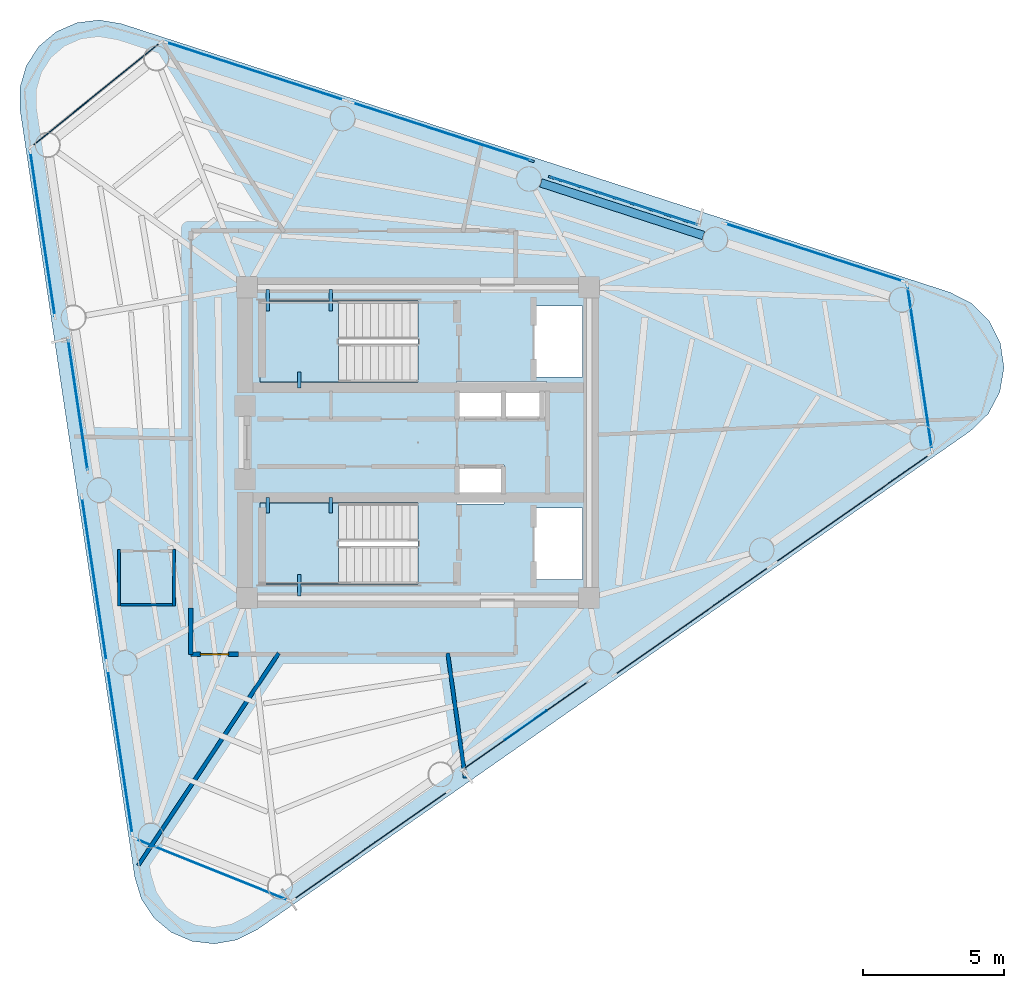
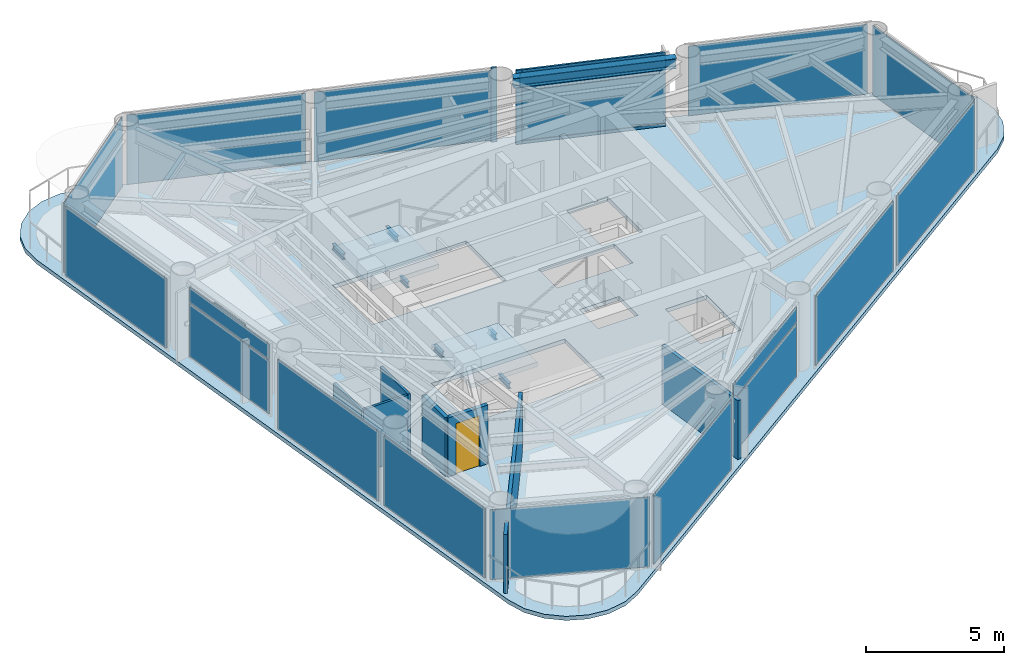
# One storey, part 4 of 10: 21 plates, 7 beams, 7 walls, 5 members, 3 slabs, 1 door, 1 opening, 17 elements without a shape of their own.
"""IFC4 building model written with IfcOpenShell, lengths in metres."""

from ifc_helpers import new_model, si_unit, direction, frame, frame_2d, origin, origin_2d, place, context, subcontext, project, spatial, polyline, rectangle, i_section, outline, extrude, source, transform, mapped, material, layer, layer_set, material_profile, profile_set, type_object, element, fill, aggregate, save


model = new_model("IFC4")

# Units and contexts
model_context = context("Model", 3, precision=1e-05, world=origin(), true_north=direction((0.0, 1.0)))
body_context = subcontext(model_context, "Body", "Model", "MODEL_VIEW")
ifc_project = project(units=[si_unit("LENGTHUNIT", "METRE"), si_unit("AREAUNIT", "SQUARE_METRE"), si_unit("VOLUMEUNIT", "CUBIC_METRE"), si_unit("PLANEANGLEUNIT", "RADIAN"), si_unit("MASSUNIT", "GRAM", prefix="KILO")], contexts=[model_context])

# Site, building, storey
site_placement = place(None, origin())
site = spatial("IfcSite", under=ifc_project, at=site_placement, CompositionType="ELEMENT")
building_placement = place(site_placement, origin())
building = spatial("IfcBuilding", under=site, at=building_placement, Name="Yunling Apex Tower", CompositionType="ELEMENT")
storey_placement = place(building_placement, frame((0.0, 0.0, 277.949951171875)))
storey = spatial("IfcBuildingStorey", under=building, at=storey_placement, Name="L68", CompositionType="ELEMENT", Elevation=277.949951171875)

# Beams
ifc_material_1 = material(Name="Steel Q355B", Category="steel")
ifc_material_profile_1 = material_profile(ifc_material_1, i_section(OverallWidth=0.125, OverallDepth=0.25, WebThickness=0.006103515625, FlangeThickness=0.009033203125, FilletRadius=0.011962890625, at=origin_2d()))
ifc_profile_set_1 = profile_set([ifc_material_profile_1], Name="Steel Q355B")
beam_type_1 = type_object("IfcBeamType", Name="BL-LNT-1", PredefinedType="LINTEL", material=ifc_profile_set_1)
shared_shape_1 = source(origin(), body_context, "Body", "SweptSolid", [
    extrude(i_section(OverallWidth=0.125, OverallDepth=0.25, WebThickness=0.006103515625, FlangeThickness=0.009033203125, FilletRadius=0.011962890625, at=origin_2d()), origin(), (0.0, 0.0, 1.0), 0.760009765625),
])
for number, where, z_axis, x_axis, name in (
    (1, (-5.320068359375, 5.419921875, 1.380126953125), (0.0, -1.0, 0.0), (1.0, 0.0, 0.0), "L68 ST-1 Landing Bearing Corbel 1-1"),
    (2, (-3.090087890625, 5.419921875, 1.380126953125), (0.0, -1.0, 0.0), (1.0, 0.0, 0.0), "L68 ST-1 Landing Bearing Corbel 1-2"),
    (3, (-4.205078125, -5.419921875, 1.380126953125), (0.0, 1.0, 0.0), (-1.0, 0.0, 0.0), "L68 ST-2 Landing Bearing Corbel 1-3"),
):
    element("IfcBeam", number, at=place(storey_placement, frame(where, z_axis=z_axis, x_axis=x_axis)), inside=storey, type_object=beam_type_1, Name=name, PredefinedType="LINTEL", context=body_context, shape_type="MappedRepresentation", body=[
        mapped(shared_shape_1, transform((0.0, 0.0, 0.0), scale=1.0)),
    ])
shared_shape_2 = source(origin(), body_context, "Body", "SweptSolid", [
    extrude(i_section(OverallWidth=0.125, OverallDepth=0.25, WebThickness=0.006103515625, FlangeThickness=0.009033203125, FilletRadius=0.011962890625, at=origin_2d()), origin(), (0.0, 0.0, 1.0), 0.550048828125),
])
for number, where, z_axis, x_axis, name in (
    (4, (-4.205078125, 1.93994140625, 1.380126953125), (0.0, 1.0, 0.0), (-1.0, 0.0, 0.0), "L68 ST-1 Landing Bearing Corbel 1-3"),
    (5, (-5.320068359375, -1.93994140625, 1.380126953125), (0.0, -1.0, 0.0), (1.0, 0.0, 0.0), "L68 ST-2 Landing Bearing Corbel 1-1"),
    (6, (-3.090087890625, -1.93994140625, 1.380126953125), (0.0, -1.0, 0.0), (1.0, 0.0, 0.0), "L68 ST-2 Landing Bearing Corbel 1-2"),
):
    element("IfcBeam", number, at=place(storey_placement, frame(where, z_axis=z_axis, x_axis=x_axis)), inside=storey, type_object=beam_type_1, Name=name, PredefinedType="LINTEL", context=body_context, shape_type="MappedRepresentation", body=[
        mapped(shared_shape_2, transform((0.0, 0.0, 0.0), scale=1.0)),
    ])
ifc_material_profile_2 = material_profile(ifc_material_1, i_section(OverallWidth=0.300048828125, OverallDepth=0.43994140625, WebThickness=0.010986328125, FlangeThickness=0.01806640625, FilletRadius=0.02197265625, at=origin_2d()))
ifc_profile_set_2 = profile_set([ifc_material_profile_2], Name="Steel Q355B")
beam_type_2 = type_object("IfcBeamType", Name="BP-SPN-3", PredefinedType="SPANDREL", material=ifc_profile_set_2)
shared_shape_3 = source(origin(), body_context, "Body", "SweptSolid", [
    extrude(i_section(OverallWidth=0.300048828125, OverallDepth=0.43994140625, WebThickness=0.010986328125, FlangeThickness=0.01806640625, FilletRadius=0.02197265625, at=origin_2d()), origin(), (0.0, 0.0, 1.0), 6.04345703125),
])
beam_placement = place(storey_placement, frame((10.09375, 7.326904296875, 3.0), z_axis=(-0.951272468705, 0.308351569289, 0.0), x_axis=(-0.308351569289, -0.951272468705, 0.0)))
element("IfcBeam", 7, at=beam_placement, inside=storey, type_object=beam_type_2, Name="L68 Perimeter Spandrel Beam 7", PredefinedType="SPANDREL", context=body_context, shape_type="MappedRepresentation", body=[
    mapped(shared_shape_3, transform((0.0, 0.0, 0.0), scale=1.0)),
])

# Curtain wall, member
ifc_material_2 = material(Name="Bronze anodised aluminium", Category="aluminium")
ifc_layer_1 = layer(ifc_material_2, 0.219970703125)
ifc_layer_set_1 = layer_set([ifc_layer_1], Name="Bronze anodised aluminium")
curtain_wall_type = type_object("IfcCurtainWallType", Name="CW-SYS-4", PredefinedType="NOTDEFINED", material=ifc_layer_set_1)
curtain_wall_1_placement = place(storey_placement, origin())
curtain_wall_1 = element("IfcCurtainWall", 8, at=curtain_wall_1_placement, inside=storey, type_object=curtain_wall_type, Name="CW-L68-F2-B2", PredefinedType="NOTDEFINED")
ifc_material_profile_3 = material_profile(ifc_material_2, rectangle(XDim=0.080078125, YDim=0.219970703125, at=origin_2d()))
ifc_profile_set_3 = profile_set([ifc_material_profile_3], Name="Bronze anodised aluminium")
member_type_1 = type_object("IfcMemberType", Name="CW-MUL-4", PredefinedType="MULLION", material=ifc_profile_set_3)
shared_shape_4 = source(origin(), body_context, "Body", "SweptSolid", [
    extrude(rectangle(XDim=0.080078125, YDim=0.219970703125, at=origin_2d()), origin(), (0.0, 0.0, 1.0), 3.320068359375),
])
member_1_placement = place(storey_placement, frame((4.71875, 9.384521484375, -0.050048828125), z_axis=(0.0, 0.0, 1.0), x_axis=(-0.30836941685, -0.951266683297, 0.0)))
member_1 = element("IfcMember", 9, at=member_1_placement, type_object=member_type_1, Name="CW-SYS-4 mullion 2", PredefinedType="MULLION", context=body_context, shape_type="MappedRepresentation", body=[
    mapped(shared_shape_4, transform((0.0, 0.0, 0.0), scale=1.0)),
])

curtain_wall_2_placement = place(storey_placement, origin())
curtain_wall_2 = element("IfcCurtainWall", 10, at=curtain_wall_2_placement, inside=storey, type_object=curtain_wall_type, Name="CW-L68-F2-B3", PredefinedType="NOTDEFINED")
member_2_placement = place(storey_placement, frame((4.00537109375, 9.97314453125, -0.050048828125), z_axis=(0.0, 0.0, 1.0), x_axis=(-0.308371076658, -0.95126614524, 0.0)))
member_2 = element("IfcMember", 11, at=member_2_placement, type_object=member_type_1, Name="CW-SYS-4 mullion 1", PredefinedType="MULLION", context=body_context, shape_type="MappedRepresentation", body=[
    mapped(shared_shape_4, transform((0.0, 0.0, 0.0), scale=1.0)),
])

# Member
ifc_material_profile_4 = material_profile(ifc_material_2, rectangle(XDim=0.080078125, YDim=0.169921875, at=origin_2d()))
ifc_profile_set_4 = profile_set([ifc_material_profile_4], Name="Bronze anodised aluminium")
member_type_2 = type_object("IfcMemberType", Name="CW-TRN-4", PredefinedType="USERDEFINED", material=ifc_profile_set_4)
shared_shape_5 = source(origin(), body_context, "Body", "SweptSolid", [
    extrude(rectangle(XDim=0.080078125, YDim=0.169921875, at=origin_2d()), origin(), (0.0, 0.0, 1.0), 5.3798828125),
])
member_3_placement = place(storey_placement, frame((9.87060546875, 7.71435546875, 0.0400390625), z_axis=(-0.951269238612, 0.308361534032, 0.0), x_axis=(-0.308361534032, -0.951269238612, 0.0)))
member_3 = element("IfcMember", 12, at=member_3_placement, type_object=member_type_2, Name="CW-SYS-4 transom 1.1", ObjectType="TRANSOM", PredefinedType="USERDEFINED", context=body_context, shape_type="MappedRepresentation", body=[
    mapped(shared_shape_5, transform((0.0, 0.0, 0.0), scale=1.0)),
])

member_4_placement = place(storey_placement, frame((9.87060546875, 7.71435546875, 2.447265625), z_axis=(-0.951269238612, 0.308361534032, 0.0), x_axis=(-0.308361534032, -0.951269238612, 0.0)))
member_4 = element("IfcMember", 13, at=member_4_placement, type_object=member_type_2, Name="CW-SYS-4 transom 1.2", ObjectType="TRANSOM", PredefinedType="USERDEFINED", context=body_context, shape_type="MappedRepresentation", body=[
    mapped(shared_shape_5, transform((0.0, 0.0, 0.0), scale=1.0)),
])

member_5_placement = place(storey_placement, frame((9.87060546875, 7.71435546875, 3.179931640625), z_axis=(-0.951269238612, 0.308361534032, 0.0), x_axis=(-0.308361534032, -0.951269238612, 0.0)))
member_5 = element("IfcMember", 14, at=member_5_placement, type_object=member_type_2, Name="CW-SYS-4 transom 1.3", ObjectType="TRANSOM", PredefinedType="USERDEFINED", context=body_context, shape_type="MappedRepresentation", body=[
    mapped(shared_shape_5, transform((0.0, 0.0, 0.0), scale=1.0)),
])

# Slab
ifc_material_3 = material(Name="Concrete C40", Category="concrete")
ifc_layer_2 = layer(ifc_material_3, 0.155029296875)
ifc_layer_set_2 = layer_set([ifc_layer_2], Name="Concrete C40")
slab_type_1 = type_object("IfcSlabType", Name="SL-FLR-3", PredefinedType="FLOOR", material=ifc_layer_set_2)
slab_1_placement = place(storey_placement, frame((0.0, 0.0, -0.179931640625)))
element("IfcSlab", 15, at=slab_1_placement, inside=storey, type_object=slab_type_1, Name="L68 Composite Tower Floor Slab", PredefinedType="FLOOR", context=body_context, shape_type="SweptSolid", body=[
    extrude(outline(polyline([(-10.026123046875, -15.378173828125), (-9.794189453125, -16.145263671875), (-9.352294921875, -16.81396484375), (-8.737548828125, -17.328125), (-8.001220703125, -17.64501953125), (-7.205078125, -17.7373046875), (-6.415771484375, -17.59814453125), (-5.69921875, -17.23876953125), (19.549072265625, 0.414306640625), (20.177490234375, 1.021728515625), (20.585205078125, 1.794921875), (20.731689453125, 2.656494140625), (20.6025390625, 3.52099609375), (20.21044921875, 4.302001953125), (19.594482421875, 4.922119140625), (18.81591796875, 5.3193359375), (-10.490478515625, 14.819091796875), (-11.280517578125, 14.95361328125), (-12.076171875, 14.855712890625), (-12.810302734375, 14.534423828125), (-13.422119140625, 14.016357421875), (-13.859619140625, 13.344970703125), (-14.086669921875, 12.576416015625), (-14.083984375, 11.77490234375), (-10.026123046875, -15.378173828125)]), holes=[polyline([(4.090087890625, 4.840087890625), (5.81005859375, 4.840087890625), (5.81005859375, 2.320068359375), (4.090087890625, 2.320068359375), (4.090087890625, 4.840087890625)]), polyline([(4.090087890625, -4.840087890625), (4.090087890625, -2.320068359375), (5.81005859375, -2.320068359375), (5.81005859375, -4.840087890625), (4.090087890625, -4.840087890625)]), polyline([(4.534912109375, 0.794921875), (1.364990234375, 0.794921875), (1.364990234375, 2.1650390625), (4.534912109375, 2.1650390625), (4.534912109375, 0.794921875)]), polyline([(1.364990234375, -0.794921875), (3.034912109375, -0.794921875), (3.034912109375, -2.1650390625), (1.364990234375, -2.1650390625), (1.364990234375, -0.794921875)]), polyline([(-0.010009765625, -5.010009765625), (-5.60009765625, -5.010009765625), (-5.60009765625, -2.139892578125), (-0.010009765625, -2.139892578125), (-0.010009765625, -5.010009765625)]), polyline([(-0.010009765625, 2.139892578125), (-5.60009765625, 2.139892578125), (-5.60009765625, 5.010009765625), (-0.010009765625, 5.010009765625), (-0.010009765625, 2.139892578125)])]), origin(), (0.0, 0.0, 1.0), 0.179931640625),
])

# Stair, slab
stair_type = type_object("IfcStairType", Name="ST-TWR-3", PredefinedType="HALF_TURN_STAIR", material=ifc_material_3)
stair_1_placement = place(storey_placement, origin())
stair_1 = element("IfcStair", 16, at=stair_1_placement, inside=storey, type_object=stair_type, Name="L68 North Core Smokeproof Exit Stair ST-1", PredefinedType="HALF_TURN_STAIR")
ifc_layer_3 = layer(ifc_material_3, 0.195068359375)
ifc_layer_set_3 = layer_set([ifc_layer_3], Name="Concrete C40")
slab_type_2 = type_object("IfcSlabType", Name="SL-LND-1", PredefinedType="LANDING", material=ifc_layer_set_3)
slab_2_placement = place(storey_placement, frame((0.0, 0.0, 1.505126953125)))
slab_2 = element("IfcSlab", 17, at=slab_2_placement, type_object=slab_type_2, Name="ST-1 landing 1", PredefinedType="LANDING", context=body_context, shape_type="SweptSolid", body=[
    extrude(outline(polyline([(-2.81005859375, 5.010009765625), (-5.60009765625, 5.010009765625), (-5.60009765625, 2.139892578125), (-2.81005859375, 2.139892578125), (-2.81005859375, 5.010009765625)])), origin(), (0.0, 0.0, 1.0), 0.19482421875),
])
aggregate(stair_1, [slab_2])

stair_2_placement = place(storey_placement, origin())
stair_2 = element("IfcStair", 18, at=stair_2_placement, inside=storey, type_object=stair_type, Name="L68 South Core Smokeproof Exit Stair ST-2", PredefinedType="HALF_TURN_STAIR")
slab_3_placement = place(storey_placement, frame((0.0, 0.0, 1.505126953125)))
slab_3 = element("IfcSlab", 19, at=slab_3_placement, type_object=slab_type_2, Name="ST-2 landing 1", PredefinedType="LANDING", context=body_context, shape_type="SweptSolid", body=[
    extrude(outline(polyline([(-2.81005859375, -2.139892578125), (-5.60009765625, -2.139892578125), (-5.60009765625, -5.010009765625), (-2.81005859375, -5.010009765625), (-2.81005859375, -2.139892578125)])), origin(), (0.0, 0.0, 1.0), 0.19482421875),
])
aggregate(stair_2, [slab_3])

# Plates
ifc_layer_4 = layer(ifc_material_2, 0.011962890625)
ifc_layer_set_4 = layer_set([ifc_layer_4], Name="Bronze anodised aluminium")
plate_type_1 = type_object("IfcPlateType", Name="SP-SHT-1", PredefinedType="SHEET", material=ifc_layer_set_4)
shared_shape_6 = source(origin(), body_context, "Body", "SweptSolid", [
    extrude(rectangle(XDim=1.800048828125, YDim=0.02392578125, at=origin_2d()), origin(), (0.0, 0.0, 1.0), 0.43994140625),
])
for number, where, z_axis, x_axis, name in (
    (20, (3.809326171875, -10.0048828125, 2.820068359375), (0.0, 0.0, 1.0), (0.819552276527, 0.573004420611, 0.0), "SP-GRV-L68-F1"),
    (21, (7.311767578125, 8.5439453125, 2.820068359375), (0.0, 0.0, 1.0), (-0.951272019071, 0.30835295642, 0.0), "SP-GRV-L68-F2"),
    (22, (-12.036865234375, 1.323974609375, 2.820068359375), (0.0, 0.0, 1.0), (0.14780941113, -0.989015863362, 0.0), "SP-GRV-L68-F3"),
):
    element("IfcPlate", number, at=place(storey_placement, frame(where, z_axis=z_axis, x_axis=x_axis)), inside=storey, type_object=plate_type_1, Name=name, PredefinedType="SHEET", context=body_context, shape_type="MappedRepresentation", body=[
        mapped(shared_shape_6, transform((0.0, 0.0, 0.0), scale=1.0)),
    ])

# Curtain wall, plate
curtain_wall_3_placement = place(storey_placement, origin())
curtain_wall_3 = element("IfcCurtainWall", 23, at=curtain_wall_3_placement, inside=storey, type_object=curtain_wall_type, Name="CW-L68-F1-B1", PredefinedType="NOTDEFINED")
ifc_material_4 = material(Name="Bronze tinted low-E glass", Category="glass")
ifc_layer_5 = layer(ifc_material_4, 0.030029296875)
ifc_layer_set_5 = layer_set([ifc_layer_5], Name="Bronze tinted low-E glass")
plate_type_2 = type_object("IfcPlateType", Name="CW-PNL-4", PredefinedType="CURTAIN_PANEL", material=ifc_layer_set_5)
shared_shape_7 = source(origin(), body_context, "Body", "SweptSolid", [
    extrude(rectangle(XDim=6.627685546875, YDim=0.030029296875, at=origin_2d()), origin(), (0.0, 0.0, 1.0), 3.075927734375),
])
plate_1_placement = place(storey_placement, frame((-1.6767578125, -14.25537109375, 0.072265625), z_axis=(0.0, 0.0, 1.0), x_axis=(0.819555084976, 0.573000403744, 0.0)))
plate_1 = element("IfcPlate", 24, at=plate_1_placement, type_object=plate_type_2, Name="CW-SYS-4 panel 1.1", PredefinedType="CURTAIN_PANEL", context=body_context, shape_type="MappedRepresentation", body=[
    mapped(shared_shape_7, transform((0.0, 0.0, 0.0), scale=1.0)),
])
aggregate(curtain_wall_3, [plate_1])

curtain_wall_4_placement = place(storey_placement, origin())
curtain_wall_4 = element("IfcCurtainWall", 25, at=curtain_wall_4_placement, inside=storey, type_object=curtain_wall_type, Name="CW-L68-F1-B3", PredefinedType="NOTDEFINED")
plate_2_placement = place(storey_placement, frame((9.68505859375, -6.3115234375, 0.072265625), z_axis=(0.0, 0.0, 1.0), x_axis=(0.81954815017, 0.573010322379, 0.0)))
plate_2 = element("IfcPlate", 26, at=plate_2_placement, type_object=plate_type_2, Name="CW-SYS-4 panel 1.1", PredefinedType="CURTAIN_PANEL", context=body_context, shape_type="MappedRepresentation", body=[
    mapped(shared_shape_7, transform((0.0, 0.0, 0.0), scale=1.0)),
])
aggregate(curtain_wall_4, [plate_2])

curtain_wall_5_placement = place(storey_placement, origin())
curtain_wall_5 = element("IfcCurtainWall", 27, at=curtain_wall_5_placement, inside=storey, type_object=curtain_wall_type, Name="CW-L68-F1-B4", PredefinedType="NOTDEFINED")
plate_3_placement = place(storey_placement, frame((15.365966796875, -2.339599609375, 0.072265625), z_axis=(0.0, 0.0, 1.0), x_axis=(0.819555084976, 0.573000403744, 0.0)))
plate_3 = element("IfcPlate", 28, at=plate_3_placement, type_object=plate_type_2, Name="CW-SYS-4 panel 1.1", PredefinedType="CURTAIN_PANEL", context=body_context, shape_type="MappedRepresentation", body=[
    mapped(shared_shape_7, transform((0.0, 0.0, 0.0), scale=1.0)),
])
aggregate(curtain_wall_5, [plate_3])

curtain_wall_6_placement = place(storey_placement, origin())
curtain_wall_6 = element("IfcCurtainWall", 29, at=curtain_wall_6_placement, inside=storey, type_object=curtain_wall_type, Name="CW-L68-F2-B1", PredefinedType="NOTDEFINED")
plate_4_placement = place(storey_placement, frame((14.010498046875, 6.72998046875, 0.072265625), z_axis=(0.0, 0.0, 1.0), x_axis=(-0.951271881173, 0.308353381834, 0.0)))
plate_4 = element("IfcPlate", 30, at=plate_4_placement, type_object=plate_type_2, Name="CW-SYS-4 panel 1.1", PredefinedType="CURTAIN_PANEL", context=body_context, shape_type="MappedRepresentation", body=[
    mapped(shared_shape_7, transform((0.0, 0.0, 0.0), scale=1.0)),
])
aggregate(curtain_wall_6, [plate_4])

# Plate
plate_5_placement = place(storey_placement, frame((0.82275390625, 11.0048828125, 0.072265625), z_axis=(0.0, 0.0, 1.0), x_axis=(-0.95126614524, 0.308371076658, 0.0)))
plate_5 = element("IfcPlate", 31, at=plate_5_placement, type_object=plate_type_2, Name="CW-SYS-4 panel 1.1", PredefinedType="CURTAIN_PANEL", context=body_context, shape_type="MappedRepresentation", body=[
    mapped(shared_shape_7, transform((0.0, 0.0, 0.0), scale=1.0)),
])

aggregate(curtain_wall_2, [member_2, plate_5])

# Curtain wall, plate
curtain_wall_7_placement = place(storey_placement, origin())
curtain_wall_7 = element("IfcCurtainWall", 32, at=curtain_wall_7_placement, inside=storey, type_object=curtain_wall_type, Name="CW-L68-F2-B4", PredefinedType="NOTDEFINED")
plate_6_placement = place(storey_placement, frame((-5.771240234375, 13.142333984375, 0.072265625), z_axis=(0.0, 0.0, 1.0), x_axis=(-0.951271881173, 0.308353381834, 0.0)))
plate_6 = element("IfcPlate", 33, at=plate_6_placement, type_object=plate_type_2, Name="CW-SYS-4 panel 1.1", PredefinedType="CURTAIN_PANEL", context=body_context, shape_type="MappedRepresentation", body=[
    mapped(shared_shape_7, transform((0.0, 0.0, 0.0), scale=1.0)),
])
aggregate(curtain_wall_7, [plate_6])

curtain_wall_8_placement = place(storey_placement, origin())
curtain_wall_8 = element("IfcCurtainWall", 34, at=curtain_wall_8_placement, inside=storey, type_object=curtain_wall_type, Name="CW-L68-F1-B2", PredefinedType="NOTDEFINED")
shared_shape_8 = source(origin(), body_context, "Body", "SweptSolid", [
    extrude(rectangle(XDim=5.3876953125, YDim=0.030029296875, at=origin_2d()), origin(), (0.0, 0.0, 1.0), 2.34326171875),
])
plate_7_placement = place(storey_placement, frame((3.809326171875, -10.0048828125, 0.072021484375), z_axis=(0.0, 0.0, 1.0), x_axis=(0.819556211708, 0.57299879219, 0.0)))
plate_7 = element("IfcPlate", 35, at=plate_7_placement, type_object=plate_type_2, Name="CW-SYS-4 panel 1.1", PredefinedType="CURTAIN_PANEL", context=body_context, shape_type="MappedRepresentation", body=[
    mapped(shared_shape_8, transform((0.0, 0.0, 0.0), scale=1.0)),
])

# Plate
plate_8_placement = place(storey_placement, frame((7.311767578125, 8.5439453125, 0.072021484375), z_axis=(0.0, 0.0, 1.0), x_axis=(-0.951266683297, 0.30836941685, 0.0)))
plate_8 = element("IfcPlate", 36, at=plate_8_placement, type_object=plate_type_2, Name="CW-SYS-4 panel 1.1", PredefinedType="CURTAIN_PANEL", context=body_context, shape_type="MappedRepresentation", body=[
    mapped(shared_shape_8, transform((0.0, 0.0, 0.0), scale=1.0)),
])

shared_shape_9 = source(origin(), body_context, "Body", "SweptSolid", [
    extrude(rectangle(XDim=5.3876953125, YDim=0.030029296875, at=origin_2d()), origin(), (0.0, 0.0, 1.0), 0.668701171875),
])
plate_9_placement = place(storey_placement, frame((3.809326171875, -10.0048828125, 2.4794921875), z_axis=(0.0, 0.0, 1.0), x_axis=(0.819556211708, 0.57299879219, 0.0)))
plate_9 = element("IfcPlate", 37, at=plate_9_placement, type_object=plate_type_2, Name="CW-SYS-4 panel 1.2", PredefinedType="CURTAIN_PANEL", context=body_context, shape_type="MappedRepresentation", body=[
    mapped(shared_shape_9, transform((0.0, 0.0, 0.0), scale=1.0)),
])

aggregate(curtain_wall_8, [plate_7, plate_9])

plate_10_placement = place(storey_placement, frame((7.311767578125, 8.5439453125, 2.4794921875), z_axis=(0.0, 0.0, 1.0), x_axis=(-0.951266683297, 0.30836941685, 0.0)))
plate_10 = element("IfcPlate", 38, at=plate_10_placement, type_object=plate_type_2, Name="CW-SYS-4 panel 1.2", PredefinedType="CURTAIN_PANEL", context=body_context, shape_type="MappedRepresentation", body=[
    mapped(shared_shape_9, transform((0.0, 0.0, 0.0), scale=1.0)),
])

aggregate(curtain_wall_1, [member_1, member_3, member_4, member_5, plate_8, plate_10])

# Curtain wall, plate
curtain_wall_9_placement = place(storey_placement, origin())
curtain_wall_9 = element("IfcCurtainWall", 39, at=curtain_wall_9_placement, inside=storey, type_object=curtain_wall_type, Name="CW-L68-CRN1", PredefinedType="NOTDEFINED")
shared_shape_10 = source(origin(), body_context, "Body", "SweptSolid", [
    extrude(rectangle(XDim=5.90185546875, YDim=0.030029296875, at=origin_2d()), origin(), (0.0, 0.0, 1.0), 3.075927734375),
])
plate_11_placement = place(storey_placement, frame((17.748291015625, 2.65234375, 0.072265625), z_axis=(0.0, 0.0, 1.0), x_axis=(-0.147802573571, 0.989016885218, 0.0)))
plate_11 = element("IfcPlate", 40, at=plate_11_placement, type_object=plate_type_2, Name="CW-SYS-4 panel 1.1", PredefinedType="CURTAIN_PANEL", context=body_context, shape_type="MappedRepresentation", body=[
    mapped(shared_shape_10, transform((0.0, 0.0, 0.0), scale=1.0)),
])
aggregate(curtain_wall_9, [plate_11])

curtain_wall_10_placement = place(storey_placement, origin())
curtain_wall_10 = element("IfcCurtainWall", 41, at=curtain_wall_10_placement, inside=storey, type_object=curtain_wall_type, Name="CW-L68-CRN2", PredefinedType="NOTDEFINED")
shared_shape_11 = source(origin(), body_context, "Body", "SweptSolid", [
    extrude(rectangle(XDim=5.829345703125, YDim=0.030029296875, at=origin_2d()), origin(), (0.0, 0.0, 1.0), 3.075927734375),
])
plate_12_placement = place(storey_placement, frame((-11.398681640625, 12.31640625, 0.072265625), z_axis=(0.0, 0.0, 1.0), x_axis=(-0.778222477019, -0.627988675266, 0.0)))
plate_12 = element("IfcPlate", 42, at=plate_12_placement, type_object=plate_type_2, Name="CW-SYS-4 panel 1.1", PredefinedType="CURTAIN_PANEL", context=body_context, shape_type="MappedRepresentation", body=[
    mapped(shared_shape_11, transform((0.0, 0.0, 0.0), scale=1.0)),
])
aggregate(curtain_wall_10, [plate_12])

curtain_wall_11_placement = place(storey_placement, origin())
curtain_wall_11 = element("IfcCurtainWall", 43, at=curtain_wall_11_placement, inside=storey, type_object=curtain_wall_type, Name="CW-L68-CRN3", PredefinedType="NOTDEFINED")
plate_13_placement = place(storey_placement, frame((-7.2998046875, -15.11083984375, 0.072265625), z_axis=(0.0, 0.0, 1.0), x_axis=(0.927827569859, -0.373009384078, 0.0)))
plate_13 = element("IfcPlate", 44, at=plate_13_placement, type_object=plate_type_2, Name="CW-SYS-4 panel 1.1", PredefinedType="CURTAIN_PANEL", context=body_context, shape_type="MappedRepresentation", body=[
    mapped(shared_shape_11, transform((0.0, 0.0, 0.0), scale=1.0)),
])
aggregate(curtain_wall_11, [plate_13])

curtain_wall_12_placement = place(storey_placement, origin())
curtain_wall_12 = element("IfcCurtainWall", 45, at=curtain_wall_12_placement, inside=storey, type_object=curtain_wall_type, Name="CW-L68-F3-B1", PredefinedType="NOTDEFINED")
shared_shape_12 = source(origin(), body_context, "Body", "SweptSolid", [
    extrude(rectangle(XDim=5.873291015625, YDim=0.030029296875, at=origin_2d()), origin(), (0.0, 0.0, 1.0), 3.075927734375),
])
plate_14_placement = place(storey_placement, frame((-13.2861328125, 7.38330078125, 0.072265625), z_axis=(0.0, 0.0, 1.0), x_axis=(0.147807330522, -0.989016174309, 0.0)))
plate_14 = element("IfcPlate", 46, at=plate_14_placement, type_object=plate_type_2, Name="CW-SYS-4 panel 1.1", PredefinedType="CURTAIN_PANEL", context=body_context, shape_type="MappedRepresentation", body=[
    mapped(shared_shape_12, transform((0.0, 0.0, 0.0), scale=1.0)),
])
aggregate(curtain_wall_12, [plate_14])

curtain_wall_13_placement = place(storey_placement, origin())
curtain_wall_13 = element("IfcCurtainWall", 47, at=curtain_wall_13_placement, inside=storey, type_object=curtain_wall_type, Name="CW-L68-F3-B3", PredefinedType="NOTDEFINED")
plate_15_placement = place(storey_placement, frame((-11.460205078125, -4.835693359375, 0.072265625), z_axis=(0.0, 0.0, 1.0), x_axis=(0.147807330522, -0.989016174309, 0.0)))
plate_15 = element("IfcPlate", 48, at=plate_15_placement, type_object=plate_type_2, Name="CW-SYS-4 panel 1.1", PredefinedType="CURTAIN_PANEL", context=body_context, shape_type="MappedRepresentation", body=[
    mapped(shared_shape_12, transform((0.0, 0.0, 0.0), scale=1.0)),
])
aggregate(curtain_wall_13, [plate_15])

curtain_wall_14_placement = place(storey_placement, origin())
curtain_wall_14 = element("IfcCurtainWall", 49, at=curtain_wall_14_placement, inside=storey, type_object=curtain_wall_type, Name="CW-L68-F3-B4", PredefinedType="NOTDEFINED")
plate_16_placement = place(storey_placement, frame((-10.547119140625, -10.945068359375, 0.072265625), z_axis=(0.0, 0.0, 1.0), x_axis=(0.147791074763, -0.989018603576, 0.0)))
plate_16 = element("IfcPlate", 50, at=plate_16_placement, type_object=plate_type_2, Name="CW-SYS-4 panel 1.1", PredefinedType="CURTAIN_PANEL", context=body_context, shape_type="MappedRepresentation", body=[
    mapped(shared_shape_12, transform((0.0, 0.0, 0.0), scale=1.0)),
])
aggregate(curtain_wall_14, [plate_16])

# Curtain wall, plates
curtain_wall_15_placement = place(storey_placement, origin())
curtain_wall_15 = element("IfcCurtainWall", 51, at=curtain_wall_15_placement, inside=storey, type_object=curtain_wall_type, Name="CW-L68-F3-B2", PredefinedType="NOTDEFINED")
shared_shape_13 = source(origin(), body_context, "Body", "SweptSolid", [
    extrude(rectangle(XDim=4.63330078125, YDim=0.030029296875, at=origin_2d()), origin(), (0.0, 0.0, 1.0), 2.34326171875),
])
plate_17_placement = place(storey_placement, frame((-12.036865234375, 1.323974609375, 0.072021484375), z_axis=(0.0, 0.0, 1.0), x_axis=(0.147804068926, -0.989016661745, 0.0)))
plate_17 = element("IfcPlate", 52, at=plate_17_placement, type_object=plate_type_2, Name="CW-SYS-4 panel 1.1", PredefinedType="CURTAIN_PANEL", context=body_context, shape_type="MappedRepresentation", body=[
    mapped(shared_shape_13, transform((0.0, 0.0, 0.0), scale=1.0)),
])
shared_shape_14 = source(origin(), body_context, "Body", "SweptSolid", [
    extrude(rectangle(XDim=4.63330078125, YDim=0.030029296875, at=origin_2d()), origin(), (0.0, 0.0, 1.0), 0.668701171875),
])
plate_18_placement = place(storey_placement, frame((-12.036865234375, 1.323974609375, 2.4794921875), z_axis=(0.0, 0.0, 1.0), x_axis=(0.147804068926, -0.989016661745, 0.0)))
plate_18 = element("IfcPlate", 53, at=plate_18_placement, type_object=plate_type_2, Name="CW-SYS-4 panel 1.2", PredefinedType="CURTAIN_PANEL", context=body_context, shape_type="MappedRepresentation", body=[
    mapped(shared_shape_14, transform((0.0, 0.0, 0.0), scale=1.0)),
])
aggregate(curtain_wall_15, [plate_17, plate_18])

# Wall, opening, door
ifc_material_5 = material(Name="Gypsum board acoustic partition")
ifc_layer_6 = layer(ifc_material_5, 0.159912109375)
ifc_layer_set_6 = layer_set([ifc_layer_6], Name="Gypsum board acoustic partition")
wall_type_1 = type_object("IfcWallType", Name="WL-PRT-1", PredefinedType="PARTITIONING", material=ifc_layer_set_6)
wall_1_placement = place(storey_placement, frame((-6.360107421875, -7.489990234375, 0.0), z_axis=(0.0, 0.0, 1.0), x_axis=(-1.0, 0.0, 0.0)))
wall_1 = element("IfcWall", 54, at=wall_1_placement, inside=storey, type_object=wall_type_1, Name="WL-CORR-L68-07", PredefinedType="PARTITIONING", context=body_context, shape_type="SweptSolid", body=[
    extrude(rectangle(XDim=1.679931640625, YDim=0.159912109375, at=frame_2d((0.83984375, 0.0))), origin(), (0.0, 0.0, 1.0), 2.60498046875),
])
opening_placement = place(wall_1_placement, frame((0.340087890625, 0.0, 0.0)))
opening = element("IfcOpeningElement", 55, at=opening_placement, cuts=wall_1, Name="Opening DR-OFF-1", PredefinedType="OPENING", context=body_context, shape_type="SweptSolid", body=[
    extrude(rectangle(XDim=1.0, YDim=2.25, at=frame_2d((0.5, 1.125))), frame((0.0, 0.08984375, 0.0), z_axis=(0.0, -1.0, 0.0), x_axis=(1.0, 0.0, 0.0)), (0.0, 0.0, 1.0), 0.179931640625),
])
door_type = type_object("IfcDoorType", Name="DR-OFF-1", OperationType="NOTDEFINED", PredefinedType="DOOR", material=ifc_material_2)
door_placement = place(opening_placement, origin())
door = element("IfcDoor", 56, at=door_placement, inside=storey, type_object=door_type, Name="L68 Concierge Reception Foyer Door", OperationType="SINGLE_SWING_RIGHT", OverallHeight=2.25, OverallWidth=1.0, PredefinedType="DOOR", context=body_context, shape_type="SweptSolid", body=[
    extrude(rectangle(XDim=1.0, YDim=2.25, at=frame_2d((0.5, 1.125))), frame((0.0, 0.02490234375, 0.0), z_axis=(0.0, -1.0, 0.0), x_axis=(1.0, 0.0, 0.0)), (0.0, 0.0, 1.0), 0.050048828125),
])
fill(opening, door)

# Walls
wall_2_placement = place(storey_placement, frame((-8.0400390625, -7.489990234375, 0.0), z_axis=(0.0, 0.0, 1.0), x_axis=(0.0, 1.0, 0.0)))
element("IfcWall", 57, at=wall_2_placement, inside=storey, type_object=wall_type_1, Name="WL-CORR-L68-08", PredefinedType="PARTITIONING", context=body_context, shape_type="SweptSolid", body=[
    extrude(rectangle(XDim=1.639892578125, YDim=0.159912109375, at=frame_2d((0.81982421875, 0.0))), origin(), (0.0, 0.0, 1.0), 2.60498046875),
])
ifc_layer_7 = layer(ifc_material_5, 0.139892578125)
ifc_layer_set_7 = layer_set([ifc_layer_7], Name="Gypsum board acoustic partition")
wall_type_2 = type_object("IfcWallType", Name="WL-PRT-2", PredefinedType="PARTITIONING", material=ifc_layer_set_7)
wall_3_placement = place(storey_placement, frame((-4.930908203125, -7.449951171875, 0.0), z_axis=(0.0, 0.0, 1.0), x_axis=(-0.551953051788, -0.833875187676, 0.0)))
element("IfcWall", 58, at=wall_3_placement, inside=storey, type_object=wall_type_2, Name="WL-RAD-L68-05", PredefinedType="PARTITIONING", context=body_context, shape_type="SweptSolid", body=[
    extrude(rectangle(XDim=9.01318359375, YDim=0.139892578125, at=frame_2d((4.506591796875, 0.0))), origin(), (0.0, 0.0, 1.0), 2.60498046875),
])
wall_4_placement = place(storey_placement, frame((1.047119140625, -7.449951171875, 0.0), z_axis=(0.0, 0.0, 1.0), x_axis=(0.139153381551, -0.990270839924, 0.0)))
element("IfcWall", 59, at=wall_4_placement, inside=storey, type_object=wall_type_2, Name="WL-RAD-L68-06", PredefinedType="PARTITIONING", context=body_context, shape_type="SweptSolid", body=[
    extrude(rectangle(XDim=4.461669921875, YDim=0.139892578125, at=frame_2d((2.23095703125, 0.0))), origin(), (0.0, 0.0, 1.0), 2.60498046875),
])
ifc_layer_8 = layer(ifc_material_5, 0.10009765625)
ifc_layer_set_8 = layer_set([ifc_layer_8], Name="Gypsum board acoustic partition")
wall_type_3 = type_object("IfcWallType", Name="WL-PRT-4", PredefinedType="PARTITIONING", material=ifc_layer_set_8)
wall_5_placement = place(storey_placement, frame((-8.58203125, -5.737060546875, 0.0), z_axis=(0.0, 0.0, 1.0), x_axis=(-1.0, 0.0, 0.0)))
element("IfcWall", 60, at=wall_5_placement, inside=storey, type_object=wall_type_3, Name="WL-L68-RWC1S", PredefinedType="PARTITIONING", context=body_context, shape_type="SweptSolid", body=[
    extrude(rectangle(XDim=2.050048828125, YDim=0.10009765625, at=frame_2d((1.02490234375, 0.0))), origin(), (0.0, 0.0, 1.0), 2.76513671875),
])
wall_6_placement = place(storey_placement, frame((-8.632080078125, -3.787109375, 0.0), z_axis=(0.0, 0.0, 1.0), x_axis=(0.0, -1.0, 0.0)))
element("IfcWall", 61, at=wall_6_placement, inside=storey, type_object=wall_type_3, Name="WL-L68-RWC1E", PredefinedType="PARTITIONING", context=body_context, shape_type="SweptSolid", body=[
    extrude(rectangle(XDim=2.0, YDim=0.10009765625, at=frame_2d((1.0, 0.0))), origin(), (0.0, 0.0, 1.0), 2.804931640625),
])
wall_7_placement = place(storey_placement, frame((-10.58203125, -5.787109375, 0.0), z_axis=(0.0, 0.0, 1.0), x_axis=(0.0, 1.0, 0.0)))
element("IfcWall", 62, at=wall_7_placement, inside=storey, type_object=wall_type_3, Name="WL-L68-RWC1W", PredefinedType="PARTITIONING", context=body_context, shape_type="SweptSolid", body=[
    extrude(rectangle(XDim=2.0, YDim=0.10009765625, at=frame_2d((1.0, 0.0))), origin(), (0.0, 0.0, 1.0), 2.76513671875),
])

save(model, "model.ifc")
